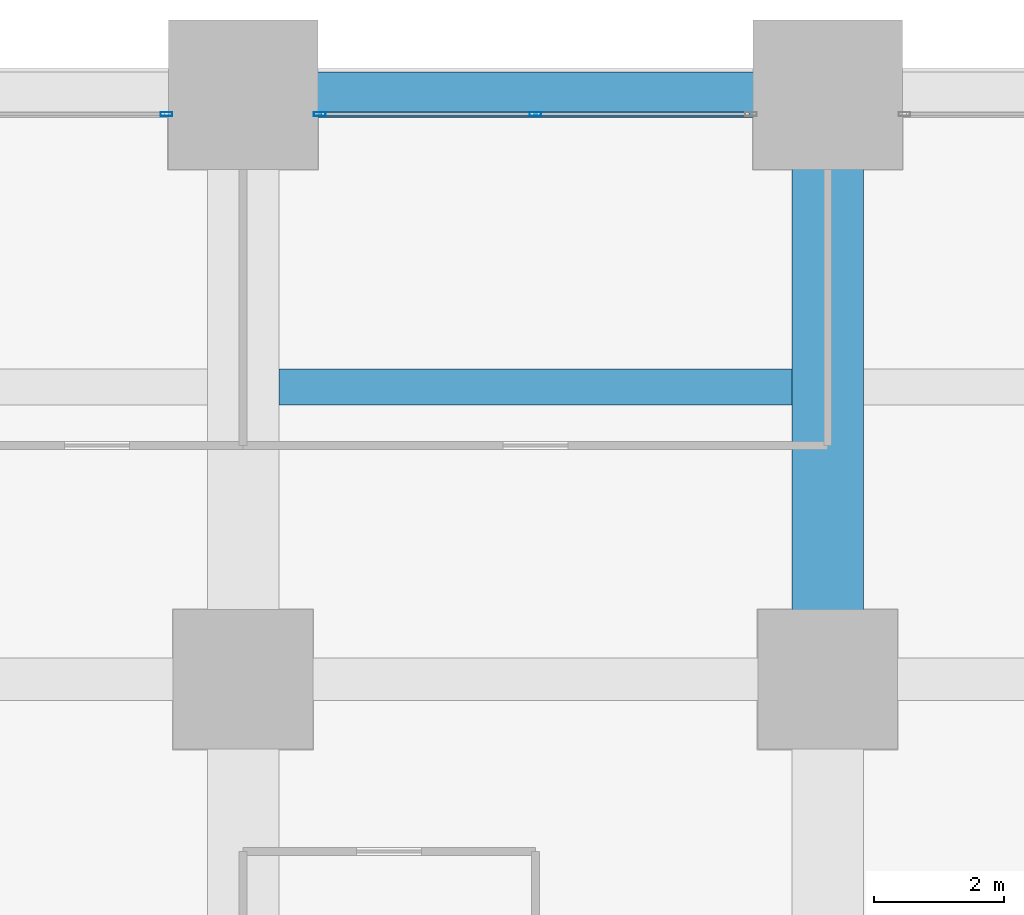
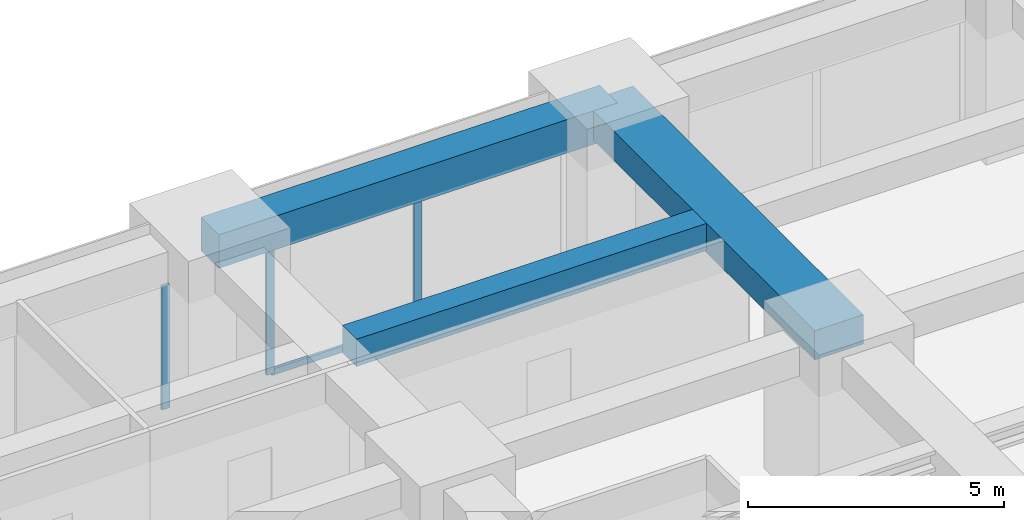
# One storey, part 29 of 44: 4 members, 3 beams, 2 elements without a shape of their own.
"""IFC4 building model written with IfcOpenShell, lengths in metres."""

from ifc_helpers import new_model, si_unit, direction, frame, origin, origin_2d, place, context, subcontext, project, spatial, rectangle, hollow_rectangle, extrude, material, material_profile, profile_set, type_object, element, aggregate, save


model = new_model("IFC4")

# Units and contexts
model_context = context("Model", 3, precision=1e-05, world=origin(), true_north=direction((0.0, 1.0)))
body_context = subcontext(model_context, "Body", "Model", "MODEL_VIEW")
ifc_project = project(units=[si_unit("LENGTHUNIT", "METRE"), si_unit("AREAUNIT", "SQUARE_METRE"), si_unit("VOLUMEUNIT", "CUBIC_METRE"), si_unit("PLANEANGLEUNIT", "RADIAN"), si_unit("MASSUNIT", "GRAM", prefix="KILO")], contexts=[model_context])

# Site, building, storey
site_placement = place(None, origin())
site = spatial("IfcSite", under=ifc_project, at=site_placement, CompositionType="ELEMENT")
building_placement = place(site_placement, origin())
building = spatial("IfcBuilding", under=site, at=building_placement, Name="Zorevar Civic Tower", CompositionType="ELEMENT")
storey_placement = place(building_placement, frame((0.0, 0.0, 51.800048828125)))
storey = spatial("IfcBuildingStorey", under=building, at=storey_placement, Name="L12", CompositionType="ELEMENT", Elevation=51.800048828125)

# Beams
ifc_material_1 = material(Name="Concrete C50/60", Category="concrete")
ifc_material_profile_1 = material_profile(ifc_material_1, rectangle(XDim=1.10009765625, YDim=0.699951171875, at=origin_2d()), Name="RC 1100x700")
ifc_profile_set_1 = profile_set([ifc_material_profile_1], Name="Concrete C50/60")
beam_type_1 = type_object("IfcBeamType", Name="Beam RC 1100x700", PredefinedType="BEAM", material=ifc_profile_set_1)
beam_1_placement = place(storey_placement, frame((27.0, 45.0, 3.39990234375), z_axis=(0.0, 1.0, 0.0), x_axis=(-1.0, 0.0, 0.0)))
element("IfcBeam", 1, at=beam_1_placement, inside=storey, type_object=beam_type_1, Name="Girder L13", PredefinedType="BEAM", context=body_context, shape_type="SweptSolid", body=[
    extrude(rectangle(XDim=1.10009765625, YDim=0.699951171875, at=origin_2d()), origin(), (0.0, 0.0, 1.0), 9.0),
])
ifc_material_2 = material(Name="Concrete C50/60", Category="concrete")
ifc_material_profile_2 = material_profile(ifc_material_2, rectangle(XDim=0.550048828125, YDim=0.64990234375, at=origin_2d()), Name="RC 550x650")
ifc_profile_set_2 = profile_set([ifc_material_profile_2], Name="Concrete C50/60")
beam_type_2 = type_object("IfcBeamType", Name="Beam RC 550x650", PredefinedType="BEAM", material=ifc_profile_set_2)
beam_2_placement = place(storey_placement, frame((18.550048828125, 49.5, 3.425048828125), z_axis=(1.0, 0.0, 0.0), x_axis=(0.0, 1.0, 0.0)))
element("IfcBeam", 2, at=beam_2_placement, inside=storey, type_object=beam_type_2, Name="Secondary beam L13", PredefinedType="BEAM", context=body_context, shape_type="SweptSolid", body=[
    extrude(rectangle(XDim=0.550048828125, YDim=0.64990234375, at=origin_2d()), origin(), (0.0, 0.0, 1.0), 7.89990234375),
])

# Curtain wall, member
ifc_material_3 = material(Name="Dark grey solar-control glass in black aluminium frame", Category="aluminium")
curtain_wall_type = type_object("IfcCurtainWallType", Name="Curtain wall CW2 low zone", PredefinedType="NOTDEFINED", material=ifc_material_3)
curtain_wall_1_placement = place(storey_placement, origin())
curtain_wall_1 = element("IfcCurtainWall", 3, at=curtain_wall_1_placement, inside=storey, type_object=curtain_wall_type, Name="CW2 L12", PredefinedType="NOTDEFINED")
ifc_material_4 = material(Name="Aluminium, black anodised", Category="aluminium")
ifc_material_profile_3 = material_profile(ifc_material_4, hollow_rectangle(XDim=0.06005859375, YDim=0.179931640625, WallThickness=0.00390625, at=origin_2d()), Name="AL 180x60x4")
ifc_profile_set_3 = profile_set([ifc_material_profile_3], Name="Aluminium, black anodised")
member_type_1 = type_object("IfcMemberType", Name="CW2 mullion AL 180x60x4", PredefinedType="MULLION", material=ifc_profile_set_3)
member_1_placement = place(storey_placement, frame((16.820068359375, 53.699951171875, 0.0), z_axis=(0.0, 0.0, 1.0), x_axis=(0.0, 1.0, 0.0)))
member_1 = element("IfcMember", 4, at=member_1_placement, type_object=member_type_1, Name="CW2 mullion 3", PredefinedType="MULLION", context=body_context, shape_type="SweptSolid", body=[
    extrude(hollow_rectangle(XDim=0.06005859375, YDim=0.179931640625, WallThickness=0.00390625, at=origin_2d()), origin(), (0.0, 0.0, 1.0), 2.949951171875),
])
aggregate(curtain_wall_1, [member_1])

# Curtain wall, members
curtain_wall_2_placement = place(storey_placement, origin())
curtain_wall_2 = element("IfcCurtainWall", 5, at=curtain_wall_2_placement, inside=storey, type_object=curtain_wall_type, Name="CW2 L12", PredefinedType="NOTDEFINED")
member_2_placement = place(storey_placement, frame((19.179931640625, 53.699951171875, 0.0), z_axis=(0.0, 0.0, 1.0), x_axis=(0.0, 1.0, 0.0)))
member_2 = element("IfcMember", 6, at=member_2_placement, type_object=member_type_1, Name="CW2 mullion 1", PredefinedType="MULLION", context=body_context, shape_type="SweptSolid", body=[
    extrude(hollow_rectangle(XDim=0.06005859375, YDim=0.179931640625, WallThickness=0.00390625, at=origin_2d()), origin(), (0.0, 0.0, 1.0), 2.949951171875),
])
member_3_placement = place(storey_placement, frame((22.5, 53.699951171875, 0.06005859375), z_axis=(0.0, 0.0, 1.0), x_axis=(0.0, 1.0, 0.0)))
member_3 = element("IfcMember", 7, at=member_3_placement, type_object=member_type_1, Name="CW2 mullion 2", PredefinedType="MULLION", context=body_context, shape_type="SweptSolid", body=[
    extrude(hollow_rectangle(XDim=0.06005859375, YDim=0.179931640625, WallThickness=0.00390625, at=origin_2d()), origin(), (0.0, 0.0, 1.0), 2.889892578125),
])
ifc_material_5 = material(Name="Aluminium, black anodised", Category="aluminium")
ifc_material_profile_4 = material_profile(ifc_material_5, hollow_rectangle(XDim=0.06005859375, YDim=0.14990234375, WallThickness=0.00390625, at=origin_2d()), Name="AL 150x60x4")
ifc_profile_set_4 = profile_set([ifc_material_profile_4], Name="Aluminium, black anodised")
member_type_2 = type_object("IfcMemberType", Name="CW2 transom AL 150x60x4", PredefinedType="USERDEFINED", material=ifc_profile_set_4)
member_4_placement = place(storey_placement, frame((19.2099609375, 53.699951171875, 0.030029296875), z_axis=(1.0, 0.0, 0.0), x_axis=(0.0, 1.0, 0.0)))
member_4 = element("IfcMember", 8, at=member_4_placement, type_object=member_type_2, Name="CW2 sill transom", ObjectType="TRANSOM", PredefinedType="USERDEFINED", context=body_context, shape_type="SweptSolid", body=[
    extrude(hollow_rectangle(XDim=0.06005859375, YDim=0.14990234375, WallThickness=0.00390625, at=origin_2d()), origin(), (0.0, 0.0, 1.0), 6.580078125),
])
aggregate(curtain_wall_2, [member_2, member_3, member_4])

# Beam
ifc_material_6 = material(Name="Concrete C50/60", Category="concrete")
ifc_material_profile_5 = material_profile(ifc_material_6, rectangle(XDim=0.699951171875, YDim=0.800048828125, at=origin_2d()), Name="RC 700x800")
ifc_profile_set_5 = profile_set([ifc_material_profile_5], Name="Concrete C50/60")
beam_type_3 = type_object("IfcBeamType", Name="Edge beam RC 700x800", PredefinedType="SPANDREL", material=ifc_profile_set_5)
beam_3_placement = place(storey_placement, frame((18.0, 54.0, 3.349853515625), z_axis=(1.0, 0.0, 0.0), x_axis=(0.0, 1.0, 0.0)))
element("IfcBeam", 9, at=beam_3_placement, inside=storey, type_object=beam_type_3, Name="Edge beam L13", PredefinedType="SPANDREL", context=body_context, shape_type="SweptSolid", body=[
    extrude(rectangle(XDim=0.699951171875, YDim=0.800048828125, at=origin_2d()), origin(), (0.0, 0.0, 1.0), 9.0),
])

save(model, "model.ifc")
